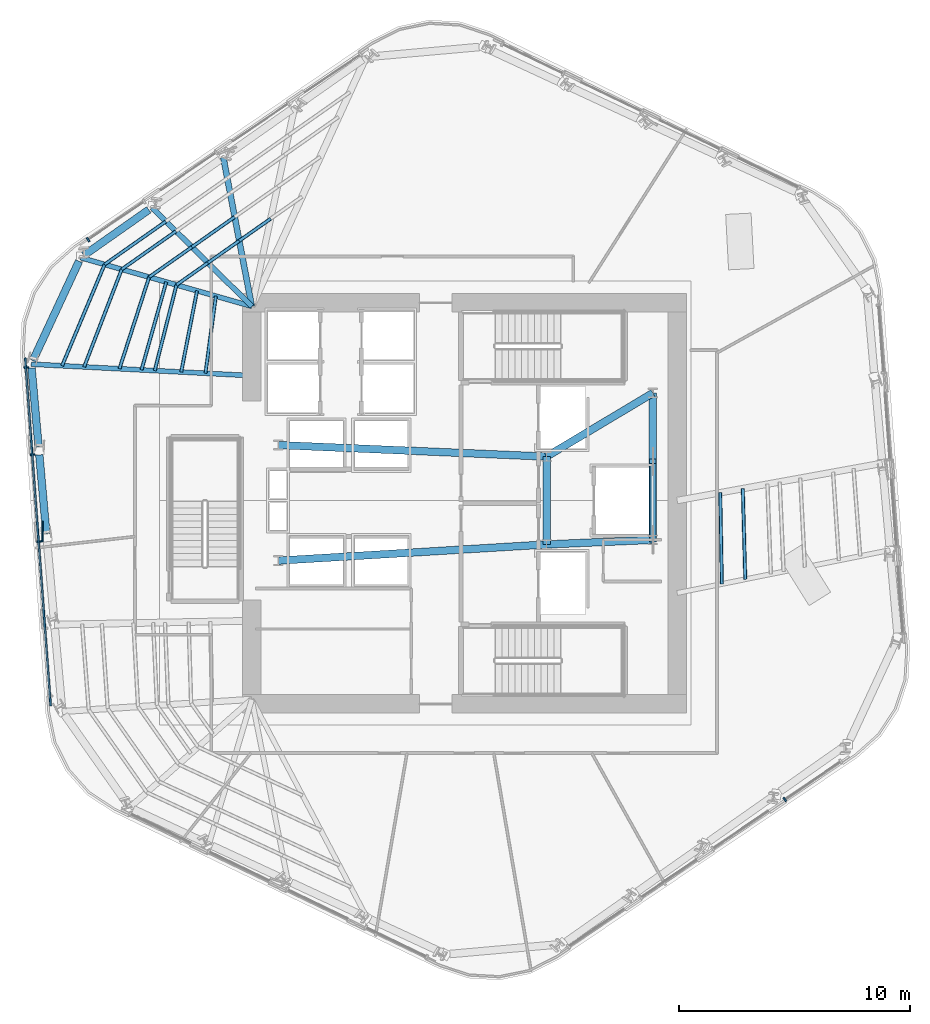
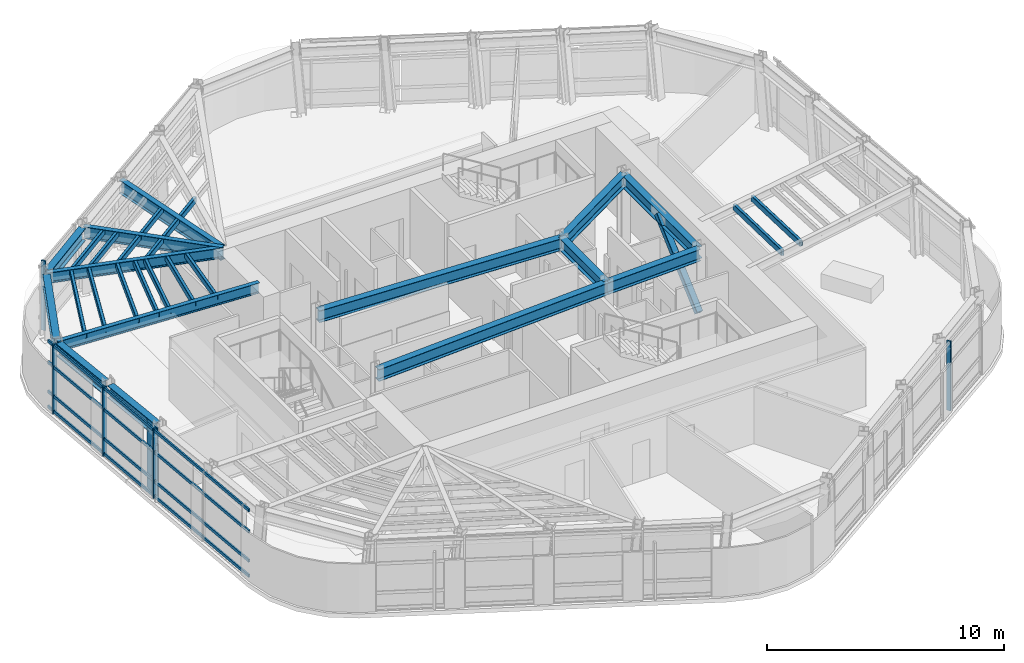
# One storey, part 4 of 15: 27 members, 14 beams, 3 elements without a shape of their own.
"""IFC4 building model written with IfcOpenShell, lengths in metres."""

from ifc_helpers import new_model, si_unit, direction, frame, origin, origin_2d, place, context, subcontext, project, spatial, rectangle, hollow_rectangle, i_section, extrude, material, layer, layer_set, material_profile, profile_set, type_object, element, aggregate, save


model = new_model("IFC4")

# Units and contexts
model_context = context("Model", 3, precision=1e-05, world=origin(), true_north=direction((0.0, 1.0)))
body_context = subcontext(model_context, "Body", "Model", "MODEL_VIEW")
ifc_project = project(units=[si_unit("LENGTHUNIT", "METRE"), si_unit("AREAUNIT", "SQUARE_METRE"), si_unit("VOLUMEUNIT", "CUBIC_METRE"), si_unit("PLANEANGLEUNIT", "RADIAN"), si_unit("MASSUNIT", "GRAM", prefix="KILO")], contexts=[model_context])

# Site, building, storey
site_placement = place(None, origin())
site = spatial("IfcSite", under=ifc_project, at=site_placement, CompositionType="ELEMENT")
building_placement = place(site_placement, origin())
building = spatial("IfcBuilding", under=site, at=building_placement, Name="Valkerne Bourse Tower", CompositionType="ELEMENT")
storey_placement = place(building_placement, frame((0.0, 0.0, 170.39990234375)))
storey = spatial("IfcBuildingStorey", under=building, at=storey_placement, Name="L43", CompositionType="ELEMENT", Elevation=170.39990234375)

# Beams
ifc_material_1 = material(Name="Steel ASTM A992", Category="steel")
ifc_material_profile_1 = material_profile(ifc_material_1, i_section(OverallWidth=0.209228515625, OverallDepth=0.533447265625, WebThickness=0.01025390625, FlangeThickness=0.015625, FilletRadius=0.017822265625, at=origin_2d()), Name="W21X62")
ifc_profile_set_1 = profile_set([ifc_material_profile_1], Name="Steel ASTM A992")
beam_type_1 = type_object("IfcBeamType", Name="BM-W21X62", PredefinedType="JOIST", material=ifc_profile_set_1)
beam_1_placement = place(storey_placement, frame((28.05810546875, 32.8994140625, 3.3134765625), z_axis=(0.998632611985, -0.052277206123, 0.0), x_axis=(0.052277206123, 0.998632611985, 0.0)))
element("IfcBeam", 1, at=beam_1_placement, inside=storey, type_object=beam_type_1, Name="L43 Radial Composite Floor Beam 10", PredefinedType="JOIST", context=body_context, shape_type="SweptSolid", body=[
    extrude(i_section(OverallWidth=0.209228515625, OverallDepth=0.533447265625, WebThickness=0.01025390625, FlangeThickness=0.015625, FilletRadius=0.017822265625, at=origin_2d()), origin(), (0.0, 0.0, 1.0), 9.55517578125),
])
ifc_material_profile_2 = material_profile(ifc_material_1, i_section(OverallWidth=0.2138671875, OverallDepth=0.548583984375, WebThickness=0.0146484375, FlangeThickness=0.023681640625, FilletRadius=0.017822265625, at=origin_2d()), Name="W21X93")
ifc_profile_set_2 = profile_set([ifc_material_profile_2], Name="Steel ASTM A992")
beam_type_2 = type_object("IfcBeamType", Name="BM-W21X93", PredefinedType="BEAM", material=ifc_profile_set_2)
beam_2_placement = place(storey_placement, frame((30.197021484375, 37.507080078125, 3.305908203125), z_axis=(0.961797564069, -0.273761658658, 0.0), x_axis=(0.273761658658, 0.961797564069, 0.0)))
element("IfcBeam", 2, at=beam_2_placement, inside=storey, type_object=beam_type_2, Name="L43 Radial Composite Floor Beam 09", PredefinedType="BEAM", context=body_context, shape_type="SweptSolid", body=[
    extrude(i_section(OverallWidth=0.2138671875, OverallDepth=0.548583984375, WebThickness=0.0146484375, FlangeThickness=0.023681640625, FilletRadius=0.017822265625, at=origin_2d()), origin(), (0.0, 0.0, 1.0), 7.697021484375),
])
ifc_material_profile_3 = material_profile(ifc_material_1, i_section(OverallWidth=0.3251953125, OverallDepth=0.612060546875, WebThickness=0.0126953125, FlangeThickness=0.01904296875, FilletRadius=0.020263671875, at=origin_2d()), Name="W24X104")
ifc_profile_set_3 = profile_set([ifc_material_profile_3], Name="Steel ASTM A992")
beam_type_3 = type_object("IfcBeamType", Name="BM-W24X104", PredefinedType="BEAM", material=ifc_profile_set_3)
beam_3_placement = place(storey_placement, frame((50.35009765625, 25.10009765625, 3.27392578125), z_axis=(0.0, 1.0, 0.0), x_axis=(-1.0, 0.0, 0.0)))
element("IfcBeam", 3, at=beam_3_placement, inside=storey, type_object=beam_type_3, Name="L43 Core Frame Girder CG-CE", PredefinedType="BEAM", context=body_context, shape_type="SweptSolid", body=[
    extrude(i_section(OverallWidth=0.3251953125, OverallDepth=0.612060546875, WebThickness=0.0126953125, FlangeThickness=0.01904296875, FilletRadius=0.020263671875, at=origin_2d()), origin(), (0.0, 0.0, 1.0), 3.7998046875),
])
beam_4_placement = place(storey_placement, frame((50.35009765625, 25.10009765625, 3.27392578125), z_axis=(0.999056558506, 0.043428019819, 0.0), x_axis=(-0.043428019819, 0.999056558506, 0.0)))
element("IfcBeam", 4, at=beam_4_placement, inside=storey, type_object=beam_type_3, Name="L43 Core Frame Girder CG-SE", PredefinedType="BEAM", context=body_context, shape_type="SweptSolid", body=[
    extrude(i_section(OverallWidth=0.3251953125, OverallDepth=0.612060546875, WebThickness=0.0126953125, FlangeThickness=0.01904296875, FilletRadius=0.020263671875, at=origin_2d()), origin(), (0.0, 0.0, 1.0), 4.604248046875),
])
beam_5_placement = place(storey_placement, frame((50.35009765625, 28.89990234375, 3.27392578125), z_axis=(0.858307823492, 0.513135148019, 0.0), x_axis=(-0.513135148019, 0.858307823492, 0.0)))
element("IfcBeam", 5, at=beam_5_placement, inside=storey, type_object=beam_type_3, Name="L43 Core Frame Girder CG-NE", PredefinedType="BEAM", context=body_context, shape_type="SweptSolid", body=[
    extrude(i_section(OverallWidth=0.3251953125, OverallDepth=0.612060546875, WebThickness=0.0126953125, FlangeThickness=0.01904296875, FilletRadius=0.020263671875, at=origin_2d()), origin(), (0.0, 0.0, 1.0), 5.359130859375),
])
beam_6_placement = place(storey_placement, frame((54.949951171875, 25.300048828125, 3.27392578125), z_axis=(0.0, 1.0, 0.0), x_axis=(-1.0, 0.0, 0.0)))
element("IfcBeam", 6, at=beam_6_placement, inside=storey, type_object=beam_type_3, Name="L43 Core Frame Girder CG-EE", PredefinedType="BEAM", context=body_context, shape_type="SweptSolid", body=[
    extrude(i_section(OverallWidth=0.3251953125, OverallDepth=0.612060546875, WebThickness=0.0126953125, FlangeThickness=0.01904296875, FilletRadius=0.020263671875, at=origin_2d()), origin(), (0.0, 0.0, 1.0), 6.349853515625),
])
beam_7_placement = place(storey_placement, frame((38.75, 24.39990234375, 3.27392578125), z_axis=(0.998183228389, 0.060251494276, 0.0), x_axis=(-0.060251494276, 0.998183228389, 0.0)))
element("IfcBeam", 7, at=beam_7_placement, inside=storey, type_object=beam_type_3, Name="L43 Core Frame Girder CG-SW", PredefinedType="BEAM", context=body_context, shape_type="SweptSolid", body=[
    extrude(i_section(OverallWidth=0.3251953125, OverallDepth=0.612060546875, WebThickness=0.0126953125, FlangeThickness=0.01904296875, FilletRadius=0.020263671875, at=origin_2d()), origin(), (0.0, 0.0, 1.0), 11.62109375),
])
beam_8_placement = place(storey_placement, frame((38.75, 29.39990234375, 3.27392578125), z_axis=(0.999072354402, -0.043063101019, 0.0), x_axis=(0.043063101019, 0.999072354402, 0.0)))
element("IfcBeam", 8, at=beam_8_placement, inside=storey, type_object=beam_type_3, Name="L43 Core Frame Girder CG-NW", PredefinedType="BEAM", context=body_context, shape_type="SweptSolid", body=[
    extrude(i_section(OverallWidth=0.3251953125, OverallDepth=0.612060546875, WebThickness=0.0126953125, FlangeThickness=0.01904296875, FilletRadius=0.020263671875, at=origin_2d()), origin(), (0.0, 0.0, 1.0), 11.61083984375),
])
ifc_material_profile_4 = material_profile(ifc_material_1, i_section(OverallWidth=0.32763671875, OverallDepth=0.62744140625, WebThickness=0.0166015625, FlangeThickness=0.027587890625, FilletRadius=0.020263671875, at=origin_2d()), Name="W24X146")
ifc_profile_set_4 = profile_set([ifc_material_profile_4], Name="Steel ASTM A992")
beam_type_4 = type_object("IfcBeamType", Name="BM-W24X146", PredefinedType="SPANDREL", material=ifc_profile_set_4)
beam_9_placement = place(storey_placement, frame((33.143310546875, 39.57763671875, 3.266357421875), z_axis=(-0.818180840254, -0.57496096619, 0.0), x_axis=(0.57496096619, -0.818180840254, 0.0)))
element("IfcBeam", 9, at=beam_9_placement, inside=storey, type_object=beam_type_4, Name="L43 Hexagonal Spandrel Ring Beam 08", PredefinedType="SPANDREL", context=body_context, shape_type="SweptSolid", body=[
    extrude(i_section(OverallWidth=0.32763671875, OverallDepth=0.62744140625, WebThickness=0.0166015625, FlangeThickness=0.027587890625, FilletRadius=0.020263671875, at=origin_2d()), origin(), (0.0, 0.0, 1.0), 3.430908203125),
])
beam_10_placement = place(storey_placement, frame((30.12548828125, 37.35302734375, 3.266357421875), z_axis=(-0.421003861292, -0.907058845267, 0.0), x_axis=(0.907058845267, -0.421003861292, 0.0)))
element("IfcBeam", 10, at=beam_10_placement, inside=storey, type_object=beam_type_4, Name="L43 Hexagonal Spandrel Ring Beam 09", PredefinedType="SPANDREL", context=body_context, shape_type="SweptSolid", body=[
    extrude(i_section(OverallWidth=0.32763671875, OverallDepth=0.62744140625, WebThickness=0.0166015625, FlangeThickness=0.027587890625, FilletRadius=0.020263671875, at=origin_2d()), origin(), (0.0, 0.0, 1.0), 4.739990234375),
])
for number, where, z_axis, x_axis, name in (
    (11, (28.0732421875, 32.72998046875, 3.266357421875), (0.088944543838, -0.996036579711, 0.0), (0.996036579711, 0.088944543838, 0.0), "L43 Hexagonal Spandrel Ring Beam 10"),
    (12, (28.408447265625, 28.973876953125, 3.266357421875), (0.088873950454, -0.99604288107, 0.0), (0.99604288107, 0.088873950454, 0.0), "L43 Hexagonal Spandrel Ring Beam 11"),
):
    element("IfcBeam", number, at=place(storey_placement, frame(where, z_axis=z_axis, x_axis=x_axis)), inside=storey, type_object=beam_type_4, Name=name, PredefinedType="SPANDREL", context=body_context, shape_type="SweptSolid", body=[
        extrude(i_section(OverallWidth=0.32763671875, OverallDepth=0.62744140625, WebThickness=0.0166015625, FlangeThickness=0.027587890625, FilletRadius=0.020263671875, at=origin_2d()), origin(), (0.0, 0.0, 1.0), 3.43115234375),
    ])
ifc_material_profile_5 = material_profile(ifc_material_1, i_section(OverallWidth=0.228271484375, OverallDepth=0.607177734375, WebThickness=0.01123046875, FlangeThickness=0.017333984375, FilletRadius=0.017822265625, at=origin_2d()), Name="W24X76")
ifc_profile_set_5 = profile_set([ifc_material_profile_5], Name="Steel ASTM A992")
beam_type_5 = type_object("IfcBeamType", Name="BM-W24X76", PredefinedType="JOIST", material=ifc_profile_set_5)
beam_11_placement = place(storey_placement, frame((33.2822265625, 39.675537109375, 3.276611328125), z_axis=(0.710573566657, -0.703622914897, 0.0), x_axis=(0.703622914897, 0.710573566657, 0.0)))
element("IfcBeam", 13, at=beam_11_placement, inside=storey, type_object=beam_type_5, Name="L43 Radial Composite Floor Beam 08", PredefinedType="JOIST", context=body_context, shape_type="SweptSolid", body=[
    extrude(i_section(OverallWidth=0.228271484375, OverallDepth=0.607177734375, WebThickness=0.01123046875, FlangeThickness=0.017333984375, FilletRadius=0.017822265625, at=origin_2d()), origin(), (0.0, 0.0, 1.0), 6.07666015625),
])
ifc_material_profile_6 = material_profile(ifc_material_1, i_section(OverallWidth=0.255859375, OverallDepth=0.693359375, WebThickness=0.014404296875, FlangeThickness=0.023681640625, FilletRadius=0.02294921875, at=origin_2d()), Name="W27X114")
ifc_profile_set_6 = profile_set([ifc_material_profile_6], Name="Steel ASTM A992")
beam_type_6 = type_object("IfcBeamType", Name="BM-W27X114", PredefinedType="BEAM", material=ifc_profile_set_6)
beam_12_placement = place(storey_placement, frame((36.367431640625, 41.843994140625, 3.2333984375), z_axis=(0.18787980843, -0.982192026838, 0.0), x_axis=(0.982192026838, 0.18787980843, 0.0)))
element("IfcBeam", 14, at=beam_12_placement, inside=storey, type_object=beam_type_6, Name="L43 Radial Composite Floor Beam 07", PredefinedType="BEAM", context=body_context, shape_type="SweptSolid", body=[
    extrude(i_section(OverallWidth=0.255859375, OverallDepth=0.693359375, WebThickness=0.014404296875, FlangeThickness=0.023681640625, FilletRadius=0.02294921875, at=origin_2d()), origin(), (0.0, 0.0, 1.0), 6.56103515625),
])

# Curtain wall, member
ifc_material_2 = material(Name="Aluminium AA 6063-T6", Category="aluminium")
ifc_layer = layer(ifc_material_2, 0.235107421875)
ifc_layer_set = layer_set([ifc_layer], Name="Aluminium AA 6063-T6")
curtain_wall_type = type_object("IfcCurtainWallType", Name="CW-03", PredefinedType="NOTDEFINED", material=ifc_layer_set)
curtain_wall_1_placement = place(storey_placement, origin())
curtain_wall_1 = element("IfcCurtainWall", 15, at=curtain_wall_1_placement, inside=storey, type_object=curtain_wall_type, Name="L43 Hexagonal Stick Curtain Wall Face 2", PredefinedType="NOTDEFINED")
ifc_material_profile_7 = material_profile(ifc_material_2, rectangle(XDim=0.074951171875, YDim=0.199951171875, at=origin_2d()), Name="CWM-75X200")
ifc_profile_set_7 = profile_set([ifc_material_profile_7], Name="Aluminium AA 6063-T6")
member_type_1 = type_object("IfcMemberType", Name="CW-MUL-220X75", PredefinedType="MULLION", material=ifc_profile_set_7)
member_1_placement = place(storey_placement, frame((30.5205078125, 38.283935546875, 0.0), z_axis=(0.0, 0.0, 1.0), x_axis=(-0.827089229672, -0.562070641611, 0.0)))
member_1 = element("IfcMember", 16, at=member_1_placement, type_object=member_type_1, Name="CW-L43-F2 Jamb Mullion 03B", PredefinedType="MULLION", context=body_context, shape_type="SweptSolid", body=[
    extrude(rectangle(XDim=0.074951171875, YDim=0.199951171875, at=origin_2d()), origin(), (0.0, 0.0, 1.0), 3.580078125),
])
aggregate(curtain_wall_1, [member_1])

# Curtain wall, members
curtain_wall_2_placement = place(storey_placement, origin())
curtain_wall_2 = element("IfcCurtainWall", 17, at=curtain_wall_2_placement, inside=storey, type_object=curtain_wall_type, Name="L43 Hexagonal Stick Curtain Wall Face 3", PredefinedType="NOTDEFINED")
member_2_placement = place(storey_placement, frame((27.8447265625, 32.749267578125, 0.0), z_axis=(0.0, 0.0, 1.0), x_axis=(0.07324261982, -0.997314152432, 0.0)))
member_2 = element("IfcMember", 18, at=member_2_placement, type_object=member_type_1, Name="CW-L43-F3 Jamb Mullion 00A", PredefinedType="MULLION", context=body_context, shape_type="SweptSolid", body=[
    extrude(rectangle(XDim=0.074951171875, YDim=0.199951171875, at=origin_2d()), origin(), (0.0, 0.0, 1.0), 3.580078125),
])
member_3_placement = place(storey_placement, frame((28.12109375, 28.98828125, 0.0), z_axis=(0.0, 0.0, 1.0), x_axis=(0.07324261982, -0.997314152432, 0.0)))
member_3 = element("IfcMember", 19, at=member_3_placement, type_object=member_type_1, Name="CW-L43-F3 Jamb Mullion 01A", PredefinedType="MULLION", context=body_context, shape_type="SweptSolid", body=[
    extrude(rectangle(XDim=0.074951171875, YDim=0.199951171875, at=origin_2d()), origin(), (0.0, 0.0, 1.0), 3.580078125),
])
member_4_placement = place(storey_placement, frame((28.397216796875, 25.227294921875, 0.0), z_axis=(0.0, 0.0, 1.0), x_axis=(0.07324261982, -0.997314152432, 0.0)))
member_4 = element("IfcMember", 20, at=member_4_placement, type_object=member_type_1, Name="CW-L43-F3 Jamb Mullion 02A", PredefinedType="MULLION", context=body_context, shape_type="SweptSolid", body=[
    extrude(rectangle(XDim=0.074951171875, YDim=0.199951171875, at=origin_2d()), origin(), (0.0, 0.0, 1.0), 3.580078125),
])

# Curtain wall, member
curtain_wall_3_placement = place(storey_placement, origin())
curtain_wall_3 = element("IfcCurtainWall", 21, at=curtain_wall_3_placement, inside=storey, type_object=curtain_wall_type, Name="L43 Hexagonal Stick Curtain Wall Face 5", PredefinedType="NOTDEFINED")
member_5_placement = place(storey_placement, frame((60.655517578125, 14.068603515625, 0.0), z_axis=(0.0, 0.0, 1.0), x_axis=(0.827089229672, 0.562070641611, 0.0)))
member_5 = element("IfcMember", 22, at=member_5_placement, type_object=member_type_1, Name="CW-L43-F5 Jamb Mullion 03A", PredefinedType="MULLION", context=body_context, shape_type="SweptSolid", body=[
    extrude(rectangle(XDim=0.074951171875, YDim=0.199951171875, at=origin_2d()), origin(), (0.0, 0.0, 1.0), 3.580078125),
])
aggregate(curtain_wall_3, [member_5])

# Member
ifc_material_profile_8 = material_profile(ifc_material_2, rectangle(XDim=0.074951171875, YDim=0.14990234375, at=origin_2d()), Name="CWT-75X150")
ifc_profile_set_8 = profile_set([ifc_material_profile_8], Name="Aluminium AA 6063-T6")
member_type_2 = type_object("IfcMemberType", Name="CW-TRN-180X65", PredefinedType="USERDEFINED", material=ifc_profile_set_8)
member_6_placement = place(storey_placement, frame((27.794189453125, 33.16650390625, 0.1201171875), z_axis=(0.07323911365, -0.997314409919, 0.0), x_axis=(0.997314409919, 0.07323911365, 0.0)))
member_6 = element("IfcMember", 23, at=member_6_placement, type_object=member_type_2, Name="CW-L43-F3 Continuous Face Transom 1", ObjectType="TRANSOM", PredefinedType="USERDEFINED", context=body_context, shape_type="SweptSolid", body=[
    extrude(rectangle(XDim=0.074951171875, YDim=0.14990234375, at=origin_2d()), origin(), (0.0, 0.0, 1.0), 15.083984375),
])

member_7_placement = place(storey_placement, frame((27.794189453125, 33.16650390625, 0.900146484375), z_axis=(0.07323911365, -0.997314409919, 0.0), x_axis=(0.997314409919, 0.07323911365, 0.0)))
member_7 = element("IfcMember", 24, at=member_7_placement, type_object=member_type_2, Name="CW-L43-F3 Continuous Face Transom 2", ObjectType="TRANSOM", PredefinedType="USERDEFINED", context=body_context, shape_type="SweptSolid", body=[
    extrude(rectangle(XDim=0.074951171875, YDim=0.14990234375, at=origin_2d()), origin(), (0.0, 0.0, 1.0), 15.083984375),
])

member_8_placement = place(storey_placement, frame((27.794189453125, 33.16650390625, 2.400146484375), z_axis=(0.07323911365, -0.997314409919, 0.0), x_axis=(0.997314409919, 0.07323911365, 0.0)))
member_8 = element("IfcMember", 25, at=member_8_placement, type_object=member_type_2, Name="CW-L43-F3 Continuous Face Transom 3", ObjectType="TRANSOM", PredefinedType="USERDEFINED", context=body_context, shape_type="SweptSolid", body=[
    extrude(rectangle(XDim=0.074951171875, YDim=0.14990234375, at=origin_2d()), origin(), (0.0, 0.0, 1.0), 15.083984375),
])

member_9_placement = place(storey_placement, frame((27.794189453125, 33.16650390625, 3.5), z_axis=(0.07323911365, -0.997314409919, 0.0), x_axis=(0.997314409919, 0.07323911365, 0.0)))
member_9 = element("IfcMember", 26, at=member_9_placement, type_object=member_type_2, Name="CW-L43-F3 Continuous Face Transom 4", ObjectType="TRANSOM", PredefinedType="USERDEFINED", context=body_context, shape_type="SweptSolid", body=[
    extrude(rectangle(XDim=0.074951171875, YDim=0.14990234375, at=origin_2d()), origin(), (0.0, 0.0, 1.0), 15.083984375),
])

aggregate(curtain_wall_2, [member_6, member_7, member_8, member_9, member_2, member_3, member_4])

# Members
ifc_material_3 = material(Name="Bronze Anodised Aluminium AA 6063-T6", Category="aluminium")
ifc_material_profile_9 = material_profile(ifc_material_3, rectangle(XDim=0.070068359375, YDim=0.89990234375, at=origin_2d()), Name="FIN-70X900")
ifc_profile_set_9 = profile_set([ifc_material_profile_9], Name="Bronze Anodised Aluminium AA 6063-T6")
member_type_3 = type_object("IfcMemberType", Name="FIN-SOLAR-900", PredefinedType="USERDEFINED", material=ifc_profile_set_9)
member_10_placement = place(storey_placement, frame((28.5458984375, 25.659423828125, 0.004150390625), z_axis=(0.0, 0.0, 1.0), x_axis=(-0.999880655032, 0.015449132402, 0.0)))
element("IfcMember", 27, at=member_10_placement, inside=storey, type_object=member_type_3, Name="L43 Bronze Anodised Solar Fin F3-02", ObjectType="SOLAR_FIN", PredefinedType="USERDEFINED", context=body_context, shape_type="SweptSolid", body=[
    extrude(rectangle(XDim=0.070068359375, YDim=0.89990234375, at=origin_2d()), origin(), (0.0, 0.0, 1.0), 3.572021484375),
])
ifc_material_4 = material(Name="Steel ASTM A500 Grade C", Category="steel")
ifc_material_profile_10 = material_profile(ifc_material_4, hollow_rectangle(XDim=0.14990234375, YDim=0.300048828125, WallThickness=0.012451171875, OuterFilletRadius=0.02490234375, at=origin_2d()), Name="HSS300X150X12.5")
ifc_profile_set_10 = profile_set([ifc_material_profile_10], Name="Steel ASTM A500 Grade C")
member_type_4 = type_object("IfcMemberType", Name="MBR-HSS300X150X12.5", PredefinedType="PURLIN", material=ifc_profile_set_10)
member_11_placement = place(storey_placement, frame((35.231201171875, 36.07421875, 3.420166015625), z_axis=(-0.191196337754, -0.981551812402, 0.0), x_axis=(0.981551812402, -0.191196337754, 0.0)))
element("IfcMember", 28, at=member_11_placement, inside=storey, type_object=member_type_4, Name="L43 Secondary Composite Floor Purlin I-09", PredefinedType="PURLIN", context=body_context, shape_type="SweptSolid", body=[
    extrude(hollow_rectangle(XDim=0.14990234375, YDim=0.300048828125, WallThickness=0.012451171875, OuterFilletRadius=0.02490234375, at=origin_2d()), origin(), (0.0, 0.0, 1.0), 3.58056640625),
])
member_12_placement = place(storey_placement, frame((58.946044921875, 23.59423828125, 3.420166015625), z_axis=(-0.027317988211, 0.999626794119, 0.0), x_axis=(-0.999626794119, -0.027317988211, 0.0)))
element("IfcMember", 29, at=member_12_placement, inside=storey, type_object=member_type_4, Name="L43 Secondary Composite Floor Purlin I-26", PredefinedType="PURLIN", context=body_context, shape_type="SweptSolid", body=[
    extrude(hollow_rectangle(XDim=0.14990234375, YDim=0.300048828125, WallThickness=0.012451171875, OuterFilletRadius=0.02490234375, at=origin_2d()), origin(), (0.0, 0.0, 1.0), 3.92333984375),
])
member_13_placement = place(storey_placement, frame((38.415283203125, 39.189453125, 3.420166015625), z_axis=(-0.8181729908, -0.574972135955, 0.0), x_axis=(0.574972135955, -0.8181729908, 0.0)))
element("IfcMember", 30, at=member_13_placement, inside=storey, type_object=member_type_4, Name="L43 Secondary Composite Floor Purlin K-06", PredefinedType="PURLIN", context=body_context, shape_type="SweptSolid", body=[
    extrude(hollow_rectangle(XDim=0.14990234375, YDim=0.300048828125, WallThickness=0.012451171875, OuterFilletRadius=0.02490234375, at=origin_2d()), origin(), (0.0, 0.0, 1.0), 1.659423828125),
])
for number, where, z_axis, x_axis, name in (
    (31, (37.0576171875, 38.2353515625, 3.420166015625), (-0.818124342882, -0.575041354673, 0.0), (0.575041354673, -0.818124342882, 0.0), "L43 Secondary Composite Floor Purlin K-07"),
    (32, (35.7001953125, 37.28125, 3.420166015625), (-0.818124342882, -0.575041354673, 0.0), (0.575041354673, -0.818124342882, 0.0), "L43 Secondary Composite Floor Purlin K-08"),
):
    element("IfcMember", number, at=place(storey_placement, frame(where, z_axis=z_axis, x_axis=x_axis)), inside=storey, type_object=member_type_4, Name=name, PredefinedType="PURLIN", context=body_context, shape_type="SweptSolid", body=[
        extrude(hollow_rectangle(XDim=0.14990234375, YDim=0.300048828125, WallThickness=0.012451171875, OuterFilletRadius=0.02490234375, at=origin_2d()), origin(), (0.0, 0.0, 1.0), 1.6591796875),
    ])
member_14_placement = place(storey_placement, frame((34.3427734375, 36.3271484375, 3.420166015625), z_axis=(-0.246048203661, -0.969257592942, 0.0), x_axis=(0.969257592942, -0.246048203661, 0.0)))
element("IfcMember", 33, at=member_14_placement, inside=storey, type_object=member_type_4, Name="L43 Secondary Composite Floor Purlin K-09", PredefinedType="PURLIN", context=body_context, shape_type="SweptSolid", body=[
    extrude(hollow_rectangle(XDim=0.14990234375, YDim=0.300048828125, WallThickness=0.012451171875, OuterFilletRadius=0.02490234375, at=origin_2d()), origin(), (0.0, 0.0, 1.0), 3.8251953125),
])
member_15_placement = place(storey_placement, frame((33.898681640625, 36.45361328125, 3.420166015625), z_axis=(-0.270679374244, -0.9626695572, 0.0), x_axis=(0.9626695572, -0.270679374244, 0.0)))
element("IfcMember", 34, at=member_15_placement, inside=storey, type_object=member_type_4, Name="L43 Secondary Composite Floor Purlin M-09", PredefinedType="PURLIN", context=body_context, shape_type="SweptSolid", body=[
    extrude(hollow_rectangle(XDim=0.14990234375, YDim=0.300048828125, WallThickness=0.012451171875, OuterFilletRadius=0.02490234375, at=origin_2d()), origin(), (0.0, 0.0, 1.0), 3.951416015625),
])
member_16_placement = place(storey_placement, frame((34.318603515625, 38.6494140625, 3.420166015625), z_axis=(-0.818141872571, -0.575016413979, 0.0), x_axis=(0.575016413979, -0.818141872571, 0.0)))
element("IfcMember", 35, at=member_16_placement, inside=storey, type_object=member_type_4, Name="L43 Secondary Composite Floor Purlin O-08", PredefinedType="PURLIN", context=body_context, shape_type="SweptSolid", body=[
    extrude(hollow_rectangle(XDim=0.14990234375, YDim=0.300048828125, WallThickness=0.012451171875, OuterFilletRadius=0.02490234375, at=origin_2d()), origin(), (0.0, 0.0, 1.0), 2.865966796875),
])
member_17_placement = place(storey_placement, frame((31.973876953125, 37.00146484375, 3.420166015625), z_axis=(-0.359347899665, -0.933203668556, 0.0), x_axis=(0.933203668556, -0.359347899665, 0.0)))
element("IfcMember", 36, at=member_17_placement, inside=storey, type_object=member_type_4, Name="L43 Secondary Composite Floor Purlin O-09", PredefinedType="PURLIN", context=body_context, shape_type="SweptSolid", body=[
    extrude(hollow_rectangle(XDim=0.14990234375, YDim=0.300048828125, WallThickness=0.012451171875, OuterFilletRadius=0.02490234375, at=origin_2d()), origin(), (0.0, 0.0, 1.0), 4.524169921875),
])
member_18_placement = place(storey_placement, frame((36.860595703125, 39.266357421875, 3.420166015625), z_axis=(-0.818135445174, -0.575025558867, 0.0), x_axis=(0.575025558867, -0.818135445174, 0.0)))
element("IfcMember", 37, at=member_18_placement, inside=storey, type_object=member_type_4, Name="L43 Secondary Composite Floor Purlin Z-07", PredefinedType="PURLIN", context=body_context, shape_type="SweptSolid", body=[
    extrude(hollow_rectangle(XDim=0.14990234375, YDim=0.300048828125, WallThickness=0.012451171875, OuterFilletRadius=0.02490234375, at=origin_2d()), origin(), (0.0, 0.0, 1.0), 2.262451171875),
])
member_19_placement = place(storey_placement, frame((35.009521484375, 37.96533203125, 3.420166015625), z_axis=(-0.8181711197, -0.574974798481, 0.0), x_axis=(0.574974798481, -0.8181711197, 0.0)))
element("IfcMember", 38, at=member_19_placement, inside=storey, type_object=member_type_4, Name="L43 Secondary Composite Floor Purlin Z-08", PredefinedType="PURLIN", context=body_context, shape_type="SweptSolid", body=[
    extrude(hollow_rectangle(XDim=0.14990234375, YDim=0.300048828125, WallThickness=0.012451171875, OuterFilletRadius=0.02490234375, at=origin_2d()), origin(), (0.0, 0.0, 1.0), 2.2626953125),
])
member_20_placement = place(storey_placement, frame((33.158203125, 36.664306640625, 3.420166015625), z_axis=(-0.307937275094, -0.951406661007, 0.0), x_axis=(0.951406661007, -0.307937275094, 0.0)))
element("IfcMember", 39, at=member_20_placement, inside=storey, type_object=member_type_4, Name="L43 Secondary Composite Floor Purlin Z-09", PredefinedType="PURLIN", context=body_context, shape_type="SweptSolid", body=[
    extrude(hollow_rectangle(XDim=0.14990234375, YDim=0.300048828125, WallThickness=0.012451171875, OuterFilletRadius=0.02490234375, at=origin_2d()), origin(), (0.0, 0.0, 1.0), 4.1669921875),
])
member_21_placement = place(storey_placement, frame((36.04541015625, 35.842529296875, 3.420166015625), z_axis=(-0.133388734013, -0.991063794939, 0.0), x_axis=(0.991063794939, -0.133388734013, 0.0)))
element("IfcMember", 40, at=member_21_placement, inside=storey, type_object=member_type_4, Name="L43 Secondary Composite Floor Purlin S-09", PredefinedType="PURLIN", context=body_context, shape_type="SweptSolid", body=[
    extrude(hollow_rectangle(XDim=0.14990234375, YDim=0.300048828125, WallThickness=0.012451171875, OuterFilletRadius=0.02490234375, at=origin_2d()), origin(), (0.0, 0.0, 1.0), 3.36767578125),
])
member_22_placement = place(storey_placement, frame((57.933349609375, 23.389892578125, 3.420166015625), z_axis=(-0.017803533653, 0.999841504534, 0.0), x_axis=(-0.999841504534, -0.017803533653, 0.0)))
element("IfcMember", 41, at=member_22_placement, inside=storey, type_object=member_type_4, Name="L43 Secondary Composite Floor Purlin S-26", PredefinedType="PURLIN", context=body_context, shape_type="SweptSolid", body=[
    extrude(hollow_rectangle(XDim=0.14990234375, YDim=0.300048828125, WallThickness=0.012451171875, OuterFilletRadius=0.02490234375, at=origin_2d()), origin(), (0.0, 0.0, 1.0), 3.949462890625),
])
member_23_placement = place(storey_placement, frame((33.88671875, 39.076904296875, 3.420166015625), z_axis=(-0.818155324682, -0.57499727364, 0.0), x_axis=(0.57499727364, -0.818155324682, 0.0)))
element("IfcMember", 42, at=member_23_placement, inside=storey, type_object=member_type_4, Name="L43 Secondary Composite Floor Purlin T-08", PredefinedType="PURLIN", context=body_context, shape_type="SweptSolid", body=[
    extrude(hollow_rectangle(XDim=0.14990234375, YDim=0.300048828125, WallThickness=0.012451171875, OuterFilletRadius=0.02490234375, at=origin_2d()), origin(), (0.0, 0.0, 1.0), 3.2431640625),
])
member_24_placement = place(storey_placement, frame((31.2333984375, 37.212158203125, 3.420166015625), z_axis=(-0.386977482622, -0.922089164856, 0.0), x_axis=(0.922089164856, -0.386977482622, 0.0)))
element("IfcMember", 43, at=member_24_placement, inside=storey, type_object=member_type_4, Name="L43 Secondary Composite Floor Purlin T-09", PredefinedType="PURLIN", context=body_context, shape_type="SweptSolid", body=[
    extrude(hollow_rectangle(XDim=0.14990234375, YDim=0.300048828125, WallThickness=0.012451171875, OuterFilletRadius=0.02490234375, at=origin_2d()), origin(), (0.0, 0.0, 1.0), 4.753173828125),
])
ifc_material_profile_11 = material_profile(ifc_material_4, hollow_rectangle(XDim=0.300048828125, YDim=0.300048828125, WallThickness=0.012451171875, OuterFilletRadius=0.02490234375, at=origin_2d()), Name="HSS300X300X12.5")
ifc_profile_set_11 = profile_set([ifc_material_profile_11], Name="Steel ASTM A500 Grade C")
member_type_5 = type_object("IfcMemberType", Name="MBR-HSS300X300X12.5", PredefinedType="STRUT", material=ifc_profile_set_11)
member_25_placement = place(storey_placement, frame((54.949951171875, 25.300048828125, 0.22021484375), z_axis=(0.0, 0.743968491622, 0.668214698636), x_axis=(-1.0, 0.0, 0.0)))
element("IfcMember", 44, at=member_25_placement, inside=storey, type_object=member_type_5, Name="L43 Core Service Pier Lateral Brace", PredefinedType="STRUT", context=body_context, shape_type="SweptSolid", body=[
    extrude(hollow_rectangle(XDim=0.300048828125, YDim=0.300048828125, WallThickness=0.012451171875, OuterFilletRadius=0.02490234375, at=origin_2d()), origin(), (0.0, 0.0, 1.0), 4.570068359375),
])

save(model, "model.ifc")
